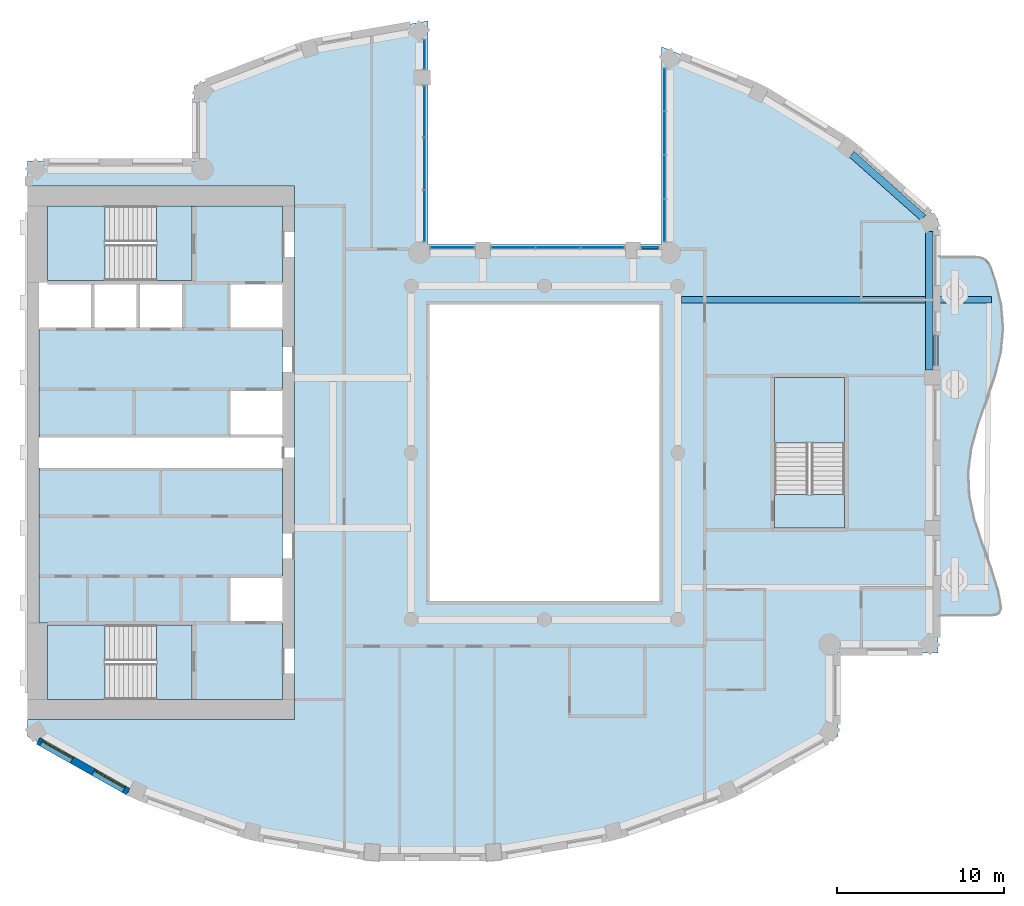
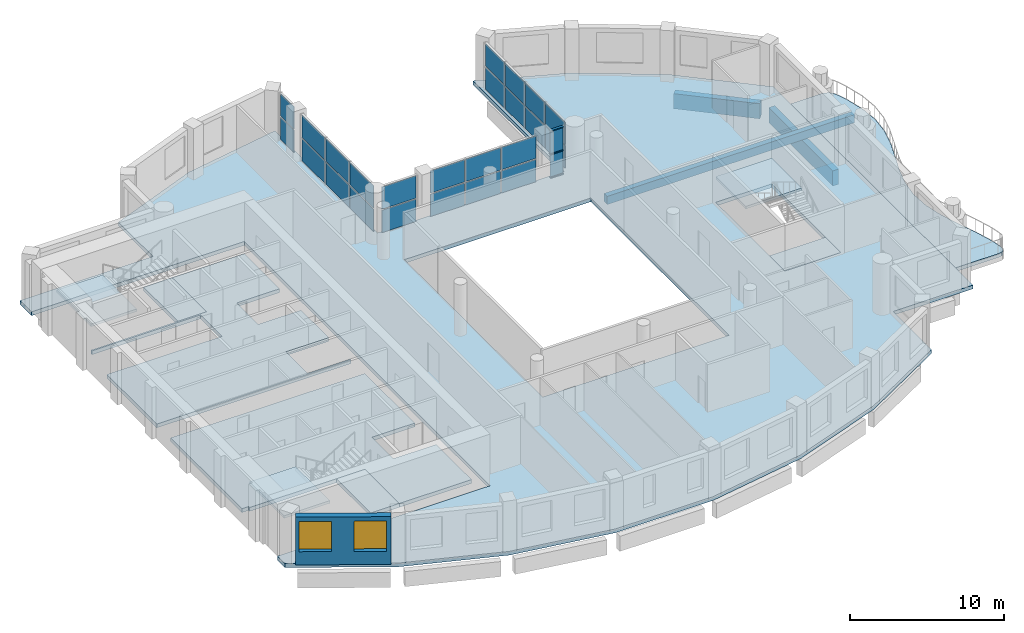
# One storey, part 3 of 14: 26 plates, 10 slabs, 3 beams, 3 members, 2 windows, 1 wall, 2 openings, 9 elements without a shape of their own.
"""IFC4 building model written with IfcOpenShell, lengths in metres."""

from ifc_helpers import new_model, si_unit, direction, frame, frame_2d, origin, origin_2d, place, context, subcontext, project, spatial, polyline, rectangle, outline, extrude, material, layer, layer_set, material_profile, profile_set, type_object, element, fill, aggregate, save


model = new_model("IFC4")

# Units and contexts
model_context = context("Model", 3, precision=1e-05, world=origin(), true_north=direction((0.0, 1.0)))
body_context = subcontext(model_context, "Body", "Model", "MODEL_VIEW")
ifc_project = project(units=[si_unit("LENGTHUNIT", "METRE"), si_unit("AREAUNIT", "SQUARE_METRE"), si_unit("VOLUMEUNIT", "CUBIC_METRE"), si_unit("PLANEANGLEUNIT", "RADIAN"), si_unit("MASSUNIT", "GRAM", prefix="KILO")], contexts=[model_context])

# Site, building, storey
site_placement = place(None, origin())
site = spatial("IfcSite", under=ifc_project, at=site_placement, CompositionType="ELEMENT")
building_placement = place(site_placement, origin())
building = spatial("IfcBuilding", under=site, at=building_placement, Name="Cypress Arch Tower", CompositionType="ELEMENT")
storey_placement = place(building_placement, frame((0.0, 0.0, 296.699951171875)))
storey = spatial("IfcBuildingStorey", under=building, at=storey_placement, Name="L67", CompositionType="ELEMENT", Elevation=296.699951171875)

# Beams
ifc_material_1 = material(Name="Concrete C50/60", Category="concrete")
ifc_material_profile_1 = material_profile(ifc_material_1, rectangle(XDim=0.39990234375, YDim=0.64990234375, at=origin_2d()), Name="RC 400x650")
ifc_profile_set_1 = profile_set([ifc_material_profile_1], Name="Concrete C50/60")
beam_type_1 = type_object("IfcBeamType", Name="Cantilever beam RC 400x650 Concrete C50/60", PredefinedType="BEAM", material=ifc_profile_set_1)
beam_1_placement = place(storey_placement, frame((9.22509765625, 9.1826171875, -0.625), z_axis=(1.0, 0.0, 0.0), x_axis=(0.0, 1.0, 0.0)))
element("IfcBeam", 1, at=beam_1_placement, inside=storey, type_object=beam_type_1, Name="Cantilever beam L67 C17 2", PredefinedType="BEAM", context=body_context, shape_type="SweptSolid", body=[
    extrude(rectangle(XDim=0.39990234375, YDim=0.64990234375, at=origin_2d()), origin(), (0.0, 0.0, 1.0), 18.582275390625),
])
ifc_material_2 = material(Name="Concrete C50/60", Category="concrete")
ifc_material_profile_2 = material_profile(ifc_material_2, rectangle(XDim=0.449951171875, YDim=1.199951171875, at=origin_2d()), Name="RC 450x1200")
ifc_profile_set_2 = profile_set([ifc_material_profile_2], Name="Concrete C50/60")
beam_type_2 = type_object("IfcBeamType", Name="Spandrel beam RC 450x1200 Concrete C50/60", PredefinedType="SPANDREL", material=ifc_profile_set_2)
beam_2_placement = place(storey_placement, frame((24.074951171875, 4.949951171875, -1.550048828125), z_axis=(0.0, 1.0, 0.0), x_axis=(-1.0, 0.0, 0.0)))
element("IfcBeam", 2, at=beam_2_placement, inside=storey, type_object=beam_type_2, Name="Spandrel beam L67 BC17-2", PredefinedType="SPANDREL", context=body_context, shape_type="SweptSolid", body=[
    extrude(rectangle(XDim=0.449951171875, YDim=1.199951171875, at=origin_2d()), origin(), (0.0, 0.0, 1.0), 8.32080078125),
])
beam_3_placement = place(storey_placement, frame((23.706298828125, 14.091796875, -1.550048828125), z_axis=(-0.747555073917, 0.664199827959, 0.0), x_axis=(-0.664199827959, -0.747555073917, 0.0)))
element("IfcBeam", 3, at=beam_3_placement, inside=storey, type_object=beam_type_2, Name="Spandrel beam L67 BC18-0", PredefinedType="SPANDREL", context=body_context, shape_type="SweptSolid", body=[
    extrude(rectangle(XDim=0.449951171875, YDim=1.199951171875, at=origin_2d()), origin(), (0.0, 0.0, 1.0), 5.72900390625),
])

# Curtain wall, members
ifc_material_3 = material(Name="Anodised aluminium, bronze finish, clear laminated double glazing", Category="aluminium")
curtain_wall_type = type_object("IfcCurtainWallType", Name="Curtain wall CW7 slot glazing", PredefinedType="NOTDEFINED", material=ifc_material_3)
curtain_wall_1_placement = place(storey_placement, origin())
curtain_wall_1 = element("IfcCurtainWall", 4, at=curtain_wall_1_placement, inside=storey, type_object=curtain_wall_type, Name="Curtain wall L67 slot C01.0", PredefinedType="NOTDEFINED")
ifc_material_4 = material(Name="Anodised aluminium, bronze finish", Category="aluminium")
ifc_material_profile_3 = material_profile(ifc_material_4, rectangle(XDim=0.179931640625, YDim=0.0849609375, at=origin_2d()), Name="Transom 85x180")
ifc_profile_set_3 = profile_set([ifc_material_profile_3], Name="Anodised aluminium, bronze finish")
member_type = type_object("IfcMemberType", Name="Transom CW7 85x180", PredefinedType="USERDEFINED", material=ifc_profile_set_3)
member_1_placement = place(storey_placement, frame((7.8134765625, 12.300048828125, 0.04248046875), z_axis=(-1.0, 0.0, 0.0), x_axis=(0.0, -1.0, 0.0)))
member_1 = element("IfcMember", 5, at=member_1_placement, type_object=member_type, Name="CW7 transom 1.1", ObjectType="TRANSOM", PredefinedType="USERDEFINED", context=body_context, shape_type="SweptSolid", body=[
    extrude(rectangle(XDim=0.179931640625, YDim=0.0849609375, at=origin_2d()), origin(), (0.0, 0.0, 1.0), 0.978515625),
])
member_2_placement = place(storey_placement, frame((7.8134765625, 12.300048828125, 1.900146484375), z_axis=(-1.0, 0.0, 0.0), x_axis=(0.0, -1.0, 0.0)))
member_2 = element("IfcMember", 6, at=member_2_placement, type_object=member_type, Name="CW7 transom 1.2", ObjectType="TRANSOM", PredefinedType="USERDEFINED", context=body_context, shape_type="SweptSolid", body=[
    extrude(rectangle(XDim=0.179931640625, YDim=0.0849609375, at=origin_2d()), origin(), (0.0, 0.0, 1.0), 0.978515625),
])
member_3_placement = place(storey_placement, frame((7.8134765625, 12.300048828125, 3.757568359375), z_axis=(-1.0, 0.0, 0.0), x_axis=(0.0, -1.0, 0.0)))
member_3 = element("IfcMember", 7, at=member_3_placement, type_object=member_type, Name="CW7 transom 1.3", ObjectType="TRANSOM", PredefinedType="USERDEFINED", context=body_context, shape_type="SweptSolid", body=[
    extrude(rectangle(XDim=0.179931640625, YDim=0.0849609375, at=origin_2d()), origin(), (0.0, 0.0, 1.0), 0.978515625),
])

# Slabs
ifc_material_5 = material(Name="Concrete C40/50", Category="concrete")
ifc_layer_1 = layer(ifc_material_5, 0.300048828125)
ifc_layer_set_1 = layer_set([ifc_layer_1], Name="Balcony slab BS300")
slab_type_1 = type_object("IfcSlabType", Name="Balcony slab BS300", PredefinedType="USERDEFINED", material=ifc_layer_set_1)
slab_1_placement = place(storey_placement, frame((0.0, 0.0, -0.300048828125)))
element("IfcSlab", 8, at=slab_1_placement, inside=storey, type_object=slab_type_1, Name="Balcony slab L67-C17", ObjectType="BALCONY SLAB", PredefinedType="USERDEFINED", context=body_context, shape_type="SweptSolid", body=[
    extrude(outline(polyline([(24.60009765625, -9.75), (27.80908203125, -9.75), (28.088623046875, -9.709716796875), (28.271728515625, -9.5888671875), (28.35888671875, -9.38720703125), (28.349609375, -9.10498046875), (28.20947265625, -8.316650390625), (27.7685546875, -6.88330078125), (27.249755859375, -5.449951171875), (26.77978515625, -4.0166015625), (26.47412109375, -2.583251953125), (26.40771484375, -1.14990234375), (26.596923828125, 0.283447265625), (26.9951171875, 1.716552734375), (27.5048828125, 3.14990234375), (28.001220703125, 4.583251953125), (28.3623046875, 6.0166015625), (28.499755859375, 7.449951171875), (28.3798828125, 8.88330078125), (28.031982421875, 10.316650390625), (27.76220703125, 11.10498046875), (27.623046875, 11.38720703125), (27.42626953125, 11.5888671875), (27.171875, 11.709716796875), (26.85986328125, 11.75), (24.60009765625, 11.75), (24.60009765625, -9.75)])), origin(), (0.0, 0.0, 1.0), 0.300048828125),
])
ifc_material_6 = material(Name="Concrete C40/50", Category="concrete")
ifc_layer_2 = layer(ifc_material_6, 0.300048828125)
ifc_layer_set_2 = layer_set([ifc_layer_2], Name="Core floor CF300")
slab_type_2 = type_object("IfcSlabType", Name="Core floor CF300", PredefinedType="FLOOR", material=ifc_layer_set_2)
slab_2_placement = place(storey_placement, frame((0.0, 0.0, -0.300048828125)))
element("IfcSlab", 9, at=slab_2_placement, inside=storey, type_object=slab_type_2, Name="Core floor", PredefinedType="FLOOR", context=body_context, shape_type="SweptSolid", body=[
    extrude(outline(polyline([(-28.89990234375, -10.199951171875), (-29.300048828125, -10.199951171875), (-29.300048828125, -0.89990234375), (-28.89990234375, -0.89990234375), (-15.10009765625, -0.89990234375), (-14.699951171875, -0.89990234375), (-14.699951171875, -7.39990234375), (-15.10009765625, -7.39990234375), (-17.919921875, -7.39990234375), (-17.919921875, -10.199951171875), (-15.10009765625, -10.199951171875), (-14.699951171875, -10.199951171875), (-14.699951171875, -14.800048828125), (-15.10009765625, -14.800048828125), (-20.125, -14.800048828125), (-20.125, -10.324951171875), (-22.27490234375, -10.324951171875), (-28.800048828125, -10.324951171875), (-28.800048828125, -10.199951171875), (-28.89990234375, -10.199951171875)])), origin(), (0.0, 0.0, 1.0), 0.300048828125),
])
slab_3_placement = place(storey_placement, frame((0.0, 0.0, -0.300048828125)))
element("IfcSlab", 10, at=slab_3_placement, inside=storey, type_object=slab_type_2, Name="Core floor", PredefinedType="FLOOR", context=body_context, shape_type="SweptSolid", body=[
    extrude(outline(polyline([(-22.27490234375, -10.324951171875), (-22.27490234375, -14.800048828125), (-20.125, -14.800048828125), (-20.125, -10.324951171875), (-22.27490234375, -10.324951171875)])), origin(), (0.0, 0.0, 1.0), 0.300048828125),
])
slab_4_placement = place(storey_placement, frame((0.0, 0.0, -0.300048828125)))
element("IfcSlab", 11, at=slab_4_placement, inside=storey, type_object=slab_type_2, Name="Core floor", PredefinedType="FLOOR", context=body_context, shape_type="SweptSolid", body=[
    extrude(outline(polyline([(-20.125, 14.800048828125), (-22.27490234375, 14.800048828125), (-22.27490234375, 10.324951171875), (-20.125, 10.324951171875), (-20.125, 14.800048828125)])), origin(), (0.0, 0.0, 1.0), 0.300048828125),
])
slab_5_placement = place(storey_placement, frame((0.0, 0.0, -0.300048828125)))
element("IfcSlab", 12, at=slab_5_placement, inside=storey, type_object=slab_type_2, Name="Stair floor landing", PredefinedType="FLOOR", context=body_context, shape_type="SweptSolid", body=[
    extrude(outline(polyline([(19.0, -4.5), (19.0, -2.5), (14.800048828125, -2.5), (14.800048828125, -4.5), (19.0, -4.5)])), origin(), (0.0, 0.0, 1.0), 0.300048828125),
])
slab_6_placement = place(storey_placement, frame((0.0, 0.0, -0.300048828125)))
element("IfcSlab", 13, at=slab_6_placement, inside=storey, type_object=slab_type_2, Name="Core floor", PredefinedType="FLOOR", context=body_context, shape_type="SweptSolid", body=[
    extrude(outline(polyline([(-20.639892578125, 10.199951171875), (-23.360107421875, 10.199951171875), (-26.080078125, 10.199951171875), (-28.800048828125, 10.199951171875), (-28.800048828125, 10.324951171875), (-22.27490234375, 10.324951171875), (-20.125, 10.324951171875), (-20.125, 14.800048828125), (-15.10009765625, 14.800048828125), (-14.699951171875, 14.800048828125), (-14.699951171875, 10.199951171875), (-15.10009765625, 10.199951171875), (-17.919921875, 10.199951171875), (-17.919921875, 7.39990234375), (-15.10009765625, 7.39990234375), (-14.699951171875, 7.39990234375), (-14.699951171875, 3.800048828125), (-15.10009765625, 3.800048828125), (-17.919921875, 3.800048828125), (-17.919921875, 1.5), (-17.919921875, 1.0), (-17.5, 1.0), (-15.10009765625, 1.0), (-14.699951171875, 1.0), (-14.699951171875, 0.89990234375), (-15.10009765625, 0.89990234375), (-17.5, 0.89990234375), (-18.300048828125, 0.89990234375), (-28.89990234375, 0.89990234375), (-29.300048828125, 0.89990234375), (-29.300048828125, 1.5), (-29.300048828125, 7.39990234375), (-28.89990234375, 7.39990234375), (-26.080078125, 7.39990234375), (-23.360107421875, 7.39990234375), (-20.639892578125, 7.39990234375), (-20.639892578125, 10.199951171875)])), origin(), (0.0, 0.0, 1.0), 0.300048828125),
])

# Curtain wall, plates
curtain_wall_2_placement = place(storey_placement, origin())
curtain_wall_2 = element("IfcCurtainWall", 14, at=curtain_wall_2_placement, inside=storey, type_object=curtain_wall_type, Name="Curtain wall L67 slot C00.0", PredefinedType="NOTDEFINED")
ifc_material_7 = material(Name="Clear laminated double glazing", Category="glass")
ifc_layer_3 = layer(ifc_material_7, 0.0439453125)
ifc_layer_set_3 = layer_set([ifc_layer_3], Name="Glass panel CW7 44")
plate_type = type_object("IfcPlateType", Name="Glass panel CW7 44", PredefinedType="CURTAIN_PANEL", material=ifc_layer_set_3)
plate_1_placement = place(storey_placement, frame((8.199951171875, 21.768798828125, 0.0849609375), z_axis=(0.0, 0.0, 1.0), x_axis=(0.0, -1.0, 0.0)))
plate_1 = element("IfcPlate", 15, at=plate_1_placement, type_object=plate_type, Name="CW7 panel 1.1", PredefinedType="CURTAIN_PANEL", context=body_context, shape_type="SweptSolid", body=[
    extrude(rectangle(XDim=2.497802734375, YDim=0.0439453125, at=origin_2d()), origin(), (0.0, 0.0, 1.0), 1.7724609375),
])
plate_2_placement = place(storey_placement, frame((8.199951171875, 21.768798828125, 1.942626953125), z_axis=(0.0, 0.0, 1.0), x_axis=(0.0, -1.0, 0.0)))
plate_2 = element("IfcPlate", 16, at=plate_2_placement, type_object=plate_type, Name="CW7 panel 1.2", PredefinedType="CURTAIN_PANEL", context=body_context, shape_type="SweptSolid", body=[
    extrude(rectangle(XDim=2.497802734375, YDim=0.0439453125, at=origin_2d()), origin(), (0.0, 0.0, 1.0), 1.7724609375),
])
plate_3_placement = place(storey_placement, frame((8.199951171875, 19.164794921875, 0.0849609375), z_axis=(0.0, 0.0, 1.0), x_axis=(0.0, -1.0, 0.0)))
plate_3 = element("IfcPlate", 17, at=plate_3_placement, type_object=plate_type, Name="CW7 panel 2.1", PredefinedType="CURTAIN_PANEL", context=body_context, shape_type="SweptSolid", body=[
    extrude(rectangle(XDim=2.540283203125, YDim=0.0439453125, at=origin_2d()), origin(), (0.0, 0.0, 1.0), 1.7724609375),
])
plate_4_placement = place(storey_placement, frame((8.199951171875, 19.164794921875, 1.942626953125), z_axis=(0.0, 0.0, 1.0), x_axis=(0.0, -1.0, 0.0)))
plate_4 = element("IfcPlate", 18, at=plate_4_placement, type_object=plate_type, Name="CW7 panel 2.2", PredefinedType="CURTAIN_PANEL", context=body_context, shape_type="SweptSolid", body=[
    extrude(rectangle(XDim=2.540283203125, YDim=0.0439453125, at=origin_2d()), origin(), (0.0, 0.0, 1.0), 1.7724609375),
])
plate_5_placement = place(storey_placement, frame((8.199951171875, 16.53955078125, 0.0849609375), z_axis=(0.0, 0.0, 1.0), x_axis=(0.0, -1.0, 0.0)))
plate_5 = element("IfcPlate", 19, at=plate_5_placement, type_object=plate_type, Name="CW7 panel 3.1", PredefinedType="CURTAIN_PANEL", context=body_context, shape_type="SweptSolid", body=[
    extrude(rectangle(XDim=2.540283203125, YDim=0.0439453125, at=origin_2d()), origin(), (0.0, 0.0, 1.0), 1.7724609375),
])
plate_6_placement = place(storey_placement, frame((8.199951171875, 16.53955078125, 1.942626953125), z_axis=(0.0, 0.0, 1.0), x_axis=(0.0, -1.0, 0.0)))
plate_6 = element("IfcPlate", 20, at=plate_6_placement, type_object=plate_type, Name="CW7 panel 3.2", PredefinedType="CURTAIN_PANEL", context=body_context, shape_type="SweptSolid", body=[
    extrude(rectangle(XDim=2.540283203125, YDim=0.0439453125, at=origin_2d()), origin(), (0.0, 0.0, 1.0), 1.7724609375),
])
plate_7_placement = place(storey_placement, frame((8.199951171875, 13.935302734375, 0.0849609375), z_axis=(0.0, 0.0, 1.0), x_axis=(0.0, -1.0, 0.0)))
plate_7 = element("IfcPlate", 21, at=plate_7_placement, type_object=plate_type, Name="CW7 panel 4.1", PredefinedType="CURTAIN_PANEL", context=body_context, shape_type="SweptSolid", body=[
    extrude(rectangle(XDim=2.497802734375, YDim=0.0439453125, at=origin_2d()), origin(), (0.0, 0.0, 1.0), 1.7724609375),
])
plate_8_placement = place(storey_placement, frame((8.199951171875, 13.935302734375, 1.942626953125), z_axis=(0.0, 0.0, 1.0), x_axis=(0.0, -1.0, 0.0)))
plate_8 = element("IfcPlate", 22, at=plate_8_placement, type_object=plate_type, Name="CW7 panel 4.2", PredefinedType="CURTAIN_PANEL", context=body_context, shape_type="SweptSolid", body=[
    extrude(rectangle(XDim=2.497802734375, YDim=0.0439453125, at=origin_2d()), origin(), (0.0, 0.0, 1.0), 1.7724609375),
])
aggregate(curtain_wall_2, [plate_1, plate_2, plate_3, plate_4, plate_5, plate_6, plate_7, plate_8])

# Plate
plate_9_placement = place(storey_placement, frame((7.32421875, 12.300048828125, 0.0849609375), z_axis=(0.0, 0.0, 1.0), x_axis=(-1.0, 0.0, 0.0)))
plate_9 = element("IfcPlate", 23, at=plate_9_placement, type_object=plate_type, Name="CW7 panel 1.1", PredefinedType="CURTAIN_PANEL", context=body_context, shape_type="SweptSolid", body=[
    extrude(rectangle(XDim=0.978515625, YDim=0.0439453125, at=origin_2d()), origin(), (0.0, 0.0, 1.0), 1.7724609375),
])

plate_10_placement = place(storey_placement, frame((7.32421875, 12.300048828125, 1.942626953125), z_axis=(0.0, 0.0, 1.0), x_axis=(-1.0, 0.0, 0.0)))
plate_10 = element("IfcPlate", 24, at=plate_10_placement, type_object=plate_type, Name="CW7 panel 1.2", PredefinedType="CURTAIN_PANEL", context=body_context, shape_type="SweptSolid", body=[
    extrude(rectangle(XDim=0.978515625, YDim=0.0439453125, at=origin_2d()), origin(), (0.0, 0.0, 1.0), 1.7724609375),
])

aggregate(curtain_wall_1, [member_1, member_2, member_3, plate_9, plate_10])

# Curtain wall, plates
curtain_wall_3_placement = place(storey_placement, origin())
curtain_wall_3 = element("IfcCurtainWall", 25, at=curtain_wall_3_placement, inside=storey, type_object=curtain_wall_type, Name="Curtain wall L67 slot C01.1", PredefinedType="NOTDEFINED")
plate_11_placement = place(storey_placement, frame((4.478759765625, 12.300048828125, 0.0849609375), z_axis=(0.0, 0.0, 1.0), x_axis=(-1.0, 0.0, 0.0)))
plate_11 = element("IfcPlate", 26, at=plate_11_placement, type_object=plate_type, Name="CW7 panel 1.1", PredefinedType="CURTAIN_PANEL", context=body_context, shape_type="SweptSolid", body=[
    extrude(rectangle(XDim=2.572509765625, YDim=0.0439453125, at=origin_2d()), origin(), (0.0, 0.0, 1.0), 1.7724609375),
])
plate_12_placement = place(storey_placement, frame((4.478759765625, 12.300048828125, 1.942626953125), z_axis=(0.0, 0.0, 1.0), x_axis=(-1.0, 0.0, 0.0)))
plate_12 = element("IfcPlate", 27, at=plate_12_placement, type_object=plate_type, Name="CW7 panel 1.2", PredefinedType="CURTAIN_PANEL", context=body_context, shape_type="SweptSolid", body=[
    extrude(rectangle(XDim=2.572509765625, YDim=0.0439453125, at=origin_2d()), origin(), (0.0, 0.0, 1.0), 1.7724609375),
])
plate_13_placement = place(storey_placement, frame((1.800048828125, 12.300048828125, 0.0849609375), z_axis=(0.0, 0.0, 1.0), x_axis=(-1.0, 0.0, 0.0)))
plate_13 = element("IfcPlate", 28, at=plate_13_placement, type_object=plate_type, Name="CW7 panel 2.1", PredefinedType="CURTAIN_PANEL", context=body_context, shape_type="SweptSolid", body=[
    extrude(rectangle(XDim=2.614990234375, YDim=0.0439453125, at=origin_2d()), origin(), (0.0, 0.0, 1.0), 1.7724609375),
])
plate_14_placement = place(storey_placement, frame((1.800048828125, 12.300048828125, 1.942626953125), z_axis=(0.0, 0.0, 1.0), x_axis=(-1.0, 0.0, 0.0)))
plate_14 = element("IfcPlate", 29, at=plate_14_placement, type_object=plate_type, Name="CW7 panel 2.2", PredefinedType="CURTAIN_PANEL", context=body_context, shape_type="SweptSolid", body=[
    extrude(rectangle(XDim=2.614990234375, YDim=0.0439453125, at=origin_2d()), origin(), (0.0, 0.0, 1.0), 1.7724609375),
])
plate_15_placement = place(storey_placement, frame((-0.878662109375, 12.300048828125, 0.0849609375), z_axis=(0.0, 0.0, 1.0), x_axis=(-1.0, 0.0, 0.0)))
plate_15 = element("IfcPlate", 30, at=plate_15_placement, type_object=plate_type, Name="CW7 panel 3.1", PredefinedType="CURTAIN_PANEL", context=body_context, shape_type="SweptSolid", body=[
    extrude(rectangle(XDim=2.572509765625, YDim=0.0439453125, at=origin_2d()), origin(), (0.0, 0.0, 1.0), 1.7724609375),
])
plate_16_placement = place(storey_placement, frame((-0.878662109375, 12.300048828125, 1.942626953125), z_axis=(0.0, 0.0, 1.0), x_axis=(-1.0, 0.0, 0.0)))
plate_16 = element("IfcPlate", 31, at=plate_16_placement, type_object=plate_type, Name="CW7 panel 3.2", PredefinedType="CURTAIN_PANEL", context=body_context, shape_type="SweptSolid", body=[
    extrude(rectangle(XDim=2.572509765625, YDim=0.0439453125, at=origin_2d()), origin(), (0.0, 0.0, 1.0), 1.7724609375),
])
aggregate(curtain_wall_3, [plate_11, plate_12, plate_13, plate_14, plate_15, plate_16])

curtain_wall_4_placement = place(storey_placement, origin())
curtain_wall_4 = element("IfcCurtainWall", 32, at=curtain_wall_4_placement, inside=storey, type_object=curtain_wall_type, Name="Curtain wall L67 slot C01.2", PredefinedType="NOTDEFINED")
plate_17_placement = place(storey_placement, frame((-4.524169921875, 12.300048828125, 0.0849609375), z_axis=(0.0, 0.0, 1.0), x_axis=(-1.0, 0.0, 0.0)))
plate_17 = element("IfcPlate", 33, at=plate_17_placement, type_object=plate_type, Name="CW7 panel 1.1", PredefinedType="CURTAIN_PANEL", context=body_context, shape_type="SweptSolid", body=[
    extrude(rectangle(XDim=2.57861328125, YDim=0.0439453125, at=origin_2d()), origin(), (0.0, 0.0, 1.0), 1.7724609375),
])
plate_18_placement = place(storey_placement, frame((-4.524169921875, 12.300048828125, 1.942626953125), z_axis=(0.0, 0.0, 1.0), x_axis=(-1.0, 0.0, 0.0)))
plate_18 = element("IfcPlate", 34, at=plate_18_placement, type_object=plate_type, Name="CW7 panel 1.2", PredefinedType="CURTAIN_PANEL", context=body_context, shape_type="SweptSolid", body=[
    extrude(rectangle(XDim=2.57861328125, YDim=0.0439453125, at=origin_2d()), origin(), (0.0, 0.0, 1.0), 1.7724609375),
])
aggregate(curtain_wall_4, [plate_17, plate_18])

curtain_wall_5_placement = place(storey_placement, origin())
curtain_wall_5 = element("IfcCurtainWall", 35, at=curtain_wall_5_placement, inside=storey, type_object=curtain_wall_type, Name="Curtain wall L67 slot C02.0", PredefinedType="NOTDEFINED")
plate_19_placement = place(storey_placement, frame((-6.199951171875, 14.197509765625, 0.0849609375), z_axis=(0.0, 0.0, 1.0), x_axis=(0.0, 1.0, 0.0)))
plate_19 = element("IfcPlate", 36, at=plate_19_placement, type_object=plate_type, Name="CW7 panel 1.1", PredefinedType="CURTAIN_PANEL", context=body_context, shape_type="SweptSolid", body=[
    extrude(rectangle(XDim=3.02197265625, YDim=0.0439453125, at=origin_2d()), origin(), (0.0, 0.0, 1.0), 1.7724609375),
])
plate_20_placement = place(storey_placement, frame((-6.199951171875, 14.197509765625, 1.942626953125), z_axis=(0.0, 0.0, 1.0), x_axis=(0.0, 1.0, 0.0)))
plate_20 = element("IfcPlate", 37, at=plate_20_placement, type_object=plate_type, Name="CW7 panel 1.2", PredefinedType="CURTAIN_PANEL", context=body_context, shape_type="SweptSolid", body=[
    extrude(rectangle(XDim=3.02197265625, YDim=0.0439453125, at=origin_2d()), origin(), (0.0, 0.0, 1.0), 1.7724609375),
])
plate_21_placement = place(storey_placement, frame((-6.199951171875, 17.32568359375, 0.0849609375), z_axis=(0.0, 0.0, 1.0), x_axis=(0.0, 1.0, 0.0)))
plate_21 = element("IfcPlate", 38, at=plate_21_placement, type_object=plate_type, Name="CW7 panel 2.1", PredefinedType="CURTAIN_PANEL", context=body_context, shape_type="SweptSolid", body=[
    extrude(rectangle(XDim=3.064453125, YDim=0.0439453125, at=origin_2d()), origin(), (0.0, 0.0, 1.0), 1.7724609375),
])
plate_22_placement = place(storey_placement, frame((-6.199951171875, 17.32568359375, 1.942626953125), z_axis=(0.0, 0.0, 1.0), x_axis=(0.0, 1.0, 0.0)))
plate_22 = element("IfcPlate", 39, at=plate_22_placement, type_object=plate_type, Name="CW7 panel 2.2", PredefinedType="CURTAIN_PANEL", context=body_context, shape_type="SweptSolid", body=[
    extrude(rectangle(XDim=3.064453125, YDim=0.0439453125, at=origin_2d()), origin(), (0.0, 0.0, 1.0), 1.7724609375),
])
plate_23_placement = place(storey_placement, frame((-6.199951171875, 20.4541015625, 0.0849609375), z_axis=(0.0, 0.0, 1.0), x_axis=(0.0, 1.0, 0.0)))
plate_23 = element("IfcPlate", 40, at=plate_23_placement, type_object=plate_type, Name="CW7 panel 3.1", PredefinedType="CURTAIN_PANEL", context=body_context, shape_type="SweptSolid", body=[
    extrude(rectangle(XDim=3.02197265625, YDim=0.0439453125, at=origin_2d()), origin(), (0.0, 0.0, 1.0), 1.7724609375),
])
plate_24_placement = place(storey_placement, frame((-6.199951171875, 20.4541015625, 1.942626953125), z_axis=(0.0, 0.0, 1.0), x_axis=(0.0, 1.0, 0.0)))
plate_24 = element("IfcPlate", 41, at=plate_24_placement, type_object=plate_type, Name="CW7 panel 3.2", PredefinedType="CURTAIN_PANEL", context=body_context, shape_type="SweptSolid", body=[
    extrude(rectangle(XDim=3.02197265625, YDim=0.0439453125, at=origin_2d()), origin(), (0.0, 0.0, 1.0), 1.7724609375),
])
aggregate(curtain_wall_5, [plate_19, plate_20, plate_21, plate_22, plate_23, plate_24])

curtain_wall_6_placement = place(storey_placement, origin())
curtain_wall_6 = element("IfcCurtainWall", 42, at=curtain_wall_6_placement, inside=storey, type_object=curtain_wall_type, Name="Curtain wall L67 slot C02.1", PredefinedType="NOTDEFINED")
plate_25_placement = place(storey_placement, frame((-6.199951171875, 23.89111328125, 0.0849609375), z_axis=(0.0, 0.0, 1.0), x_axis=(0.0, 1.0, 0.0)))
plate_25 = element("IfcPlate", 43, at=plate_25_placement, type_object=plate_type, Name="CW7 panel 1.1", PredefinedType="CURTAIN_PANEL", context=body_context, shape_type="SweptSolid", body=[
    extrude(rectangle(XDim=1.71240234375, YDim=0.0439453125, at=origin_2d()), origin(), (0.0, 0.0, 1.0), 1.7724609375),
])
plate_26_placement = place(storey_placement, frame((-6.199951171875, 23.89111328125, 1.942626953125), z_axis=(0.0, 0.0, 1.0), x_axis=(0.0, 1.0, 0.0)))
plate_26 = element("IfcPlate", 44, at=plate_26_placement, type_object=plate_type, Name="CW7 panel 1.2", PredefinedType="CURTAIN_PANEL", context=body_context, shape_type="SweptSolid", body=[
    extrude(rectangle(XDim=1.71240234375, YDim=0.0439453125, at=origin_2d()), origin(), (0.0, 0.0, 1.0), 1.7724609375),
])
aggregate(curtain_wall_6, [plate_25, plate_26])

# Slab
ifc_material_8 = material(Name="Concrete C40/50", Category="concrete")
ifc_layer_4 = layer(ifc_material_8, 0.300048828125)
ifc_layer_set_4 = layer_set([ifc_layer_4], Name="PT flat slab 300 Concrete C40/50")
slab_type_3 = type_object("IfcSlabType", Name="PT flat slab 300 Concrete C40/50", PredefinedType="FLOOR", material=ifc_layer_set_4)
slab_7_placement = place(storey_placement, frame((0.0, 0.0, -0.300048828125)))
element("IfcSlab", 45, at=slab_7_placement, inside=storey, type_object=slab_type_3, Name="Floor slab L67", PredefinedType="FLOOR", context=body_context, shape_type="SweptSolid", body=[
    extrude(outline(polyline([(-30.0, 17.5), (-20.0, 17.5), (-20.0, 22.0), (-13.199951171875, 24.6201171875), (-6.0, 25.889892578125), (-6.0, 12.5), (8.0, 12.5), (8.0, 24.35009765625), (14.0, 21.93994140625), (19.39990234375, 18.6201171875), (24.60009765625, 14.0), (24.60009765625, -12.0), (18.60009765625, -12.0), (18.60009765625, -17.0), (12.179931640625, -20.6201171875), (5.239990234375, -23.090087890625), (-2.02001953125, -24.340087890625), (-9.3798828125, -24.340087890625), (-16.639892578125, -23.090087890625), (-23.580078125, -20.6201171875), (-30.0, -17.0), (-30.0, -16.0), (-14.0, -16.0), (-14.0, 16.0), (-30.0, 16.0), (-30.0, 17.5)]), holes=[polyline([(-6.0, -9.0), (8.0, -9.0), (8.0, 9.0), (-6.0, 9.0), (-6.0, -9.0)]), polyline([(14.800048828125, -4.5), (19.0, -4.5), (19.0, 4.5), (14.800048828125, 4.5), (14.800048828125, -4.5)])]), origin(), (0.0, 0.0, 1.0), 0.300048828125),
])

# Stair, slab
ifc_material_9 = material(Name="Concrete C40/50", Category="concrete")
stair_type_1 = type_object("IfcStairType", Name="Exit stair ES1708-215", PredefinedType="HALF_TURN_STAIR", material=ifc_material_9)
stair_1_placement = place(storey_placement, origin())
stair_1 = element("IfcStair", 46, at=stair_1_placement, inside=storey, type_object=stair_type_1, Name="L67 Exit stair A", PredefinedType="HALF_TURN_STAIR")
ifc_material_10 = material(Name="Concrete C40/50", Category="concrete")
ifc_layer_5 = layer(ifc_material_10, 0.199951171875)
ifc_layer_set_5 = layer_set([ifc_layer_5], Name="Stair landing SL200")
slab_type_4 = type_object("IfcSlabType", Name="Stair landing SL200", PredefinedType="LANDING", material=ifc_layer_set_5)
slab_8_placement = place(storey_placement, frame((0.0, 0.0, 1.85009765625)))
slab_8 = element("IfcSlab", 47, at=slab_8_placement, type_object=slab_type_4, Name="A landing 1", PredefinedType="LANDING", context=body_context, shape_type="SweptSolid", body=[
    extrude(outline(polyline([(-25.35498046875, -10.324951171875), (-28.800048828125, -10.324951171875), (-28.800048828125, -14.800048828125), (-25.35498046875, -14.800048828125), (-25.35498046875, -10.324951171875)])), origin(), (0.0, 0.0, 1.0), 0.199951171875),
])
aggregate(stair_1, [slab_8])

stair_2_placement = place(storey_placement, origin())
stair_2 = element("IfcStair", 48, at=stair_2_placement, inside=storey, type_object=stair_type_1, Name="L67 Exit stair B", PredefinedType="HALF_TURN_STAIR")
slab_9_placement = place(storey_placement, frame((0.0, 0.0, 1.85009765625)))
slab_9 = element("IfcSlab", 49, at=slab_9_placement, type_object=slab_type_4, Name="B landing 1", PredefinedType="LANDING", context=body_context, shape_type="SweptSolid", body=[
    extrude(outline(polyline([(-25.35498046875, 14.800048828125), (-28.800048828125, 14.800048828125), (-28.800048828125, 10.324951171875), (-25.35498046875, 10.324951171875), (-25.35498046875, 14.800048828125)])), origin(), (0.0, 0.0, 1.0), 0.199951171875),
])
aggregate(stair_2, [slab_9])

ifc_material_11 = material(Name="Concrete C40/50", Category="concrete")
stair_type_2 = type_object("IfcStairType", Name="Exit stair ES1708-200", PredefinedType="HALF_TURN_STAIR", material=ifc_material_11)
stair_3_placement = place(storey_placement, origin())
stair_3 = element("IfcStair", 50, at=stair_3_placement, inside=storey, type_object=stair_type_2, Name="L67 Exit stair C", PredefinedType="HALF_TURN_STAIR")
slab_10_placement = place(storey_placement, frame((0.0, 0.0, 1.85009765625)))
slab_10 = element("IfcSlab", 51, at=slab_10_placement, type_object=slab_type_4, Name="C landing 1", PredefinedType="LANDING", context=body_context, shape_type="SweptSolid", body=[
    extrude(outline(polyline([(19.0, 0.580078125), (19.0, 4.5), (14.800048828125, 4.5), (14.800048828125, 0.580078125), (19.0, 0.580078125)])), origin(), (0.0, 0.0, 1.0), 0.199951171875),
])
aggregate(stair_3, [slab_10])

# Wall, openings, windows
ifc_material_12 = material(Name="Brick (red buff blend)", Category="masonry")
ifc_layer_6 = layer(ifc_material_12, 0.449951171875)
ifc_layer_set_6 = layer_set([ifc_layer_6], Name="Brick pier and spandrel wall BW450")
wall_type = type_object("IfcWallType", Name="Brick pier and spandrel wall BW450", PredefinedType="SOLIDWALL", material=ifc_layer_set_6)
wall_placement = place(storey_placement, frame((-29.3564453125, -17.276611328125, 0.0), z_axis=(0.0, 0.0, 1.0), x_axis=(0.871065783524, -0.491166367714, 0.0)))
wall = element("IfcWall", 52, at=wall_placement, inside=storey, type_object=wall_type, Name="Brick wall L67 C08.0", PredefinedType="SOLIDWALL", context=body_context, shape_type="SweptSolid", body=[
    extrude(rectangle(XDim=6.1962890625, YDim=0.449951171875, at=frame_2d((3.09814453125, 0.0))), origin(), (0.0, 0.0, 1.0), 3.800048828125),
])
opening_1_placement = place(wall_placement, frame((0.22119140625, 0.0, 1.050048828125)))
opening_1 = element("IfcOpeningElement", 53, at=opening_1_placement, cuts=wall, Name="Opening W210O", PredefinedType="OPENING", context=body_context, shape_type="SweptSolid", body=[
    extrude(rectangle(XDim=2.10009765625, YDim=2.39990234375, at=frame_2d((1.050048828125, 1.199951171875))), frame((0.0, 0.23486328125, 0.0), z_axis=(0.0, -1.0, 0.0), x_axis=(1.0, 0.0, 0.0)), (0.0, 0.0, 1.0), 0.469970703125),
])
opening_2_placement = place(wall_placement, frame((3.8056640625, 0.0, 1.050048828125)))
opening_2 = element("IfcOpeningElement", 54, at=opening_2_placement, cuts=wall, Name="Opening W210O", PredefinedType="OPENING", context=body_context, shape_type="SweptSolid", body=[
    extrude(rectangle(XDim=2.10009765625, YDim=2.39990234375, at=frame_2d((1.050048828125, 1.199951171875))), frame((0.0, 0.23486328125, 0.0), z_axis=(0.0, -1.0, 0.0), x_axis=(1.0, 0.0, 0.0)), (0.0, 0.0, 1.0), 0.469970703125),
])
ifc_material_13 = material(Name="Anodised aluminium, bronze finish, clear low-emissivity double glazing", Category="aluminium")
window_type = type_object("IfcWindowType", Name="Window Office 2100x2400", PartitioningType="SINGLE_PANEL", PredefinedType="WINDOW", material=ifc_material_13)
window_1_placement = place(opening_1_placement, origin())
window_1 = element("IfcWindow", 55, at=window_1_placement, inside=storey, type_object=window_type, Name="Window L67 C08.0.1", OverallHeight=2.39990234375, OverallWidth=2.10009765625, PartitioningType="SINGLE_PANEL", PredefinedType="WINDOW", context=body_context, shape_type="SweptSolid", body=[
    extrude(rectangle(XDim=2.10009765625, YDim=2.39990234375, at=frame_2d((1.050048828125, 1.199951171875))), frame((0.0, 0.135009765625, 0.0), z_axis=(0.0, -1.0, 0.0), x_axis=(1.0, 0.0, 0.0)), (0.0, 0.0, 1.0), 0.06005859375),
])
fill(opening_1, window_1)
window_2_placement = place(opening_2_placement, origin())
window_2 = element("IfcWindow", 56, at=window_2_placement, inside=storey, type_object=window_type, Name="Window L67 C08.0.2", OverallHeight=2.39990234375, OverallWidth=2.10009765625, PartitioningType="SINGLE_PANEL", PredefinedType="WINDOW", context=body_context, shape_type="SweptSolid", body=[
    extrude(rectangle(XDim=2.10009765625, YDim=2.39990234375, at=frame_2d((1.050048828125, 1.199951171875))), frame((0.0, 0.135009765625, 0.0), z_axis=(0.0, -1.0, 0.0), x_axis=(1.0, 0.0, 0.0)), (0.0, 0.0, 1.0), 0.06005859375),
])
fill(opening_2, window_2)

save(model, "model.ifc")
